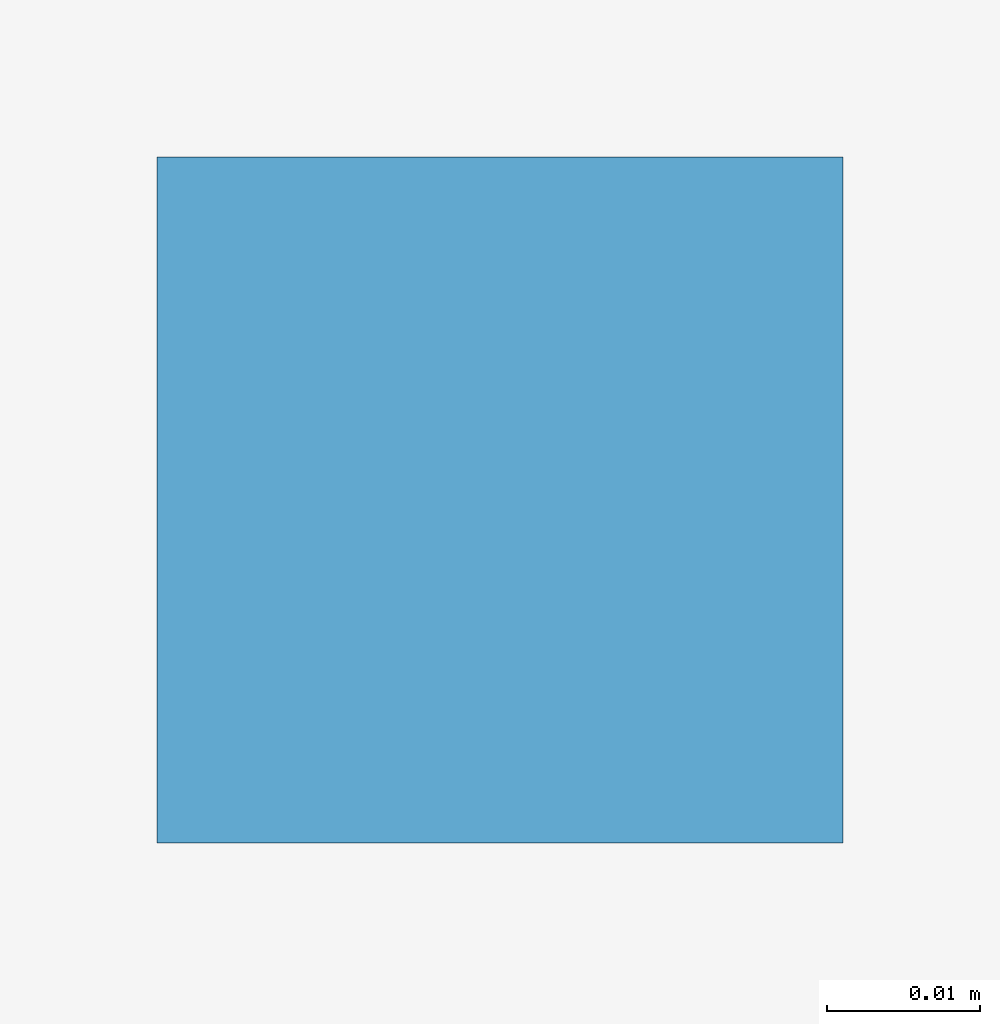
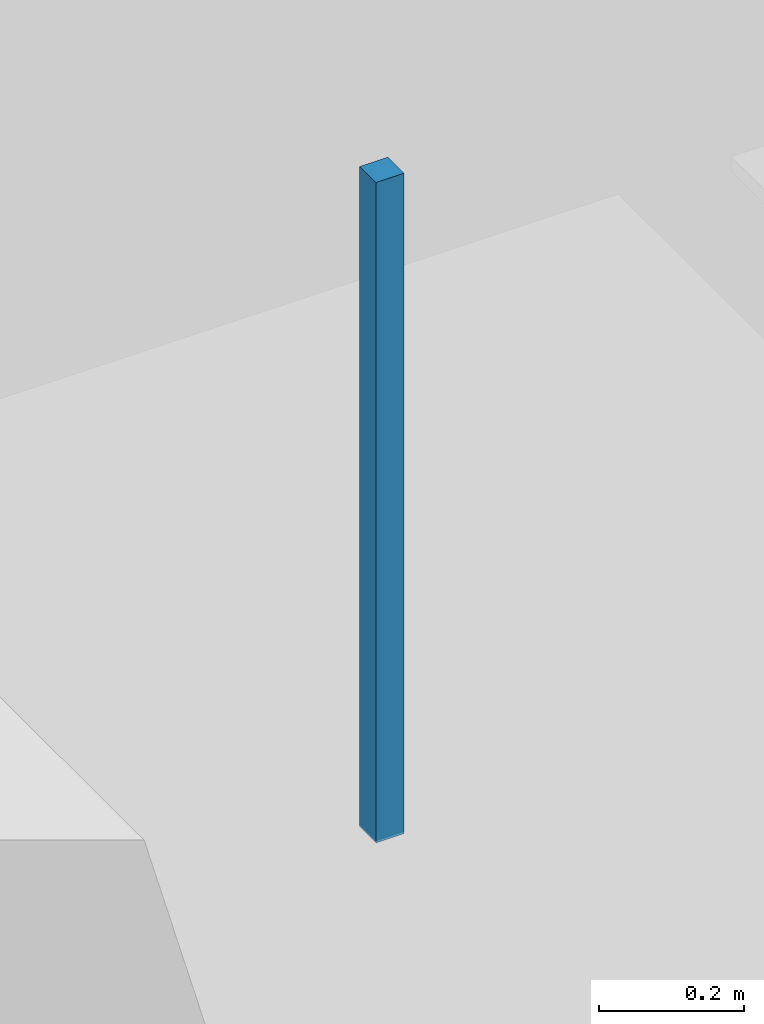
# One storey, part 78 of 130: 1 discrete accessory.
"""IFC4 building model written with IfcOpenShell, lengths in metres."""

from ifc_helpers import new_model, si_unit, direction, frame, origin, origin_2d, place, context, subcontext, project, spatial, rectangle, extrude, material, type_object, element, save


model = new_model("IFC4")

# Units and contexts
model_context = context("Model", 3, precision=1e-05, world=origin(), true_north=direction((0.0, 1.0)))
body_context = subcontext(model_context, "Body", "Model", "MODEL_VIEW")
ifc_project = project(units=[si_unit("LENGTHUNIT", "METRE"), si_unit("AREAUNIT", "SQUARE_METRE"), si_unit("VOLUMEUNIT", "CUBIC_METRE"), si_unit("PLANEANGLEUNIT", "RADIAN"), si_unit("MASSUNIT", "GRAM", prefix="KILO"), si_unit("THERMODYNAMICTEMPERATUREUNIT", "KELVIN"), si_unit("POWERUNIT", "WATT")], contexts=[model_context])

# Site, building, storey
site_placement = place(None, origin())
site = spatial("IfcSite", under=ifc_project, at=site_placement, CompositionType="ELEMENT")
building_placement = place(site_placement, origin())
building = spatial("IfcBuilding", under=site, at=building_placement, Name="Tallowbark Science Centre", CompositionType="ELEMENT")
storey_placement = place(building_placement, frame((0.0, 0.0, 5.39990234375)))
storey = spatial("IfcBuildingStorey", under=building, at=storey_placement, Name="L01", CompositionType="ELEMENT", Elevation=5.39990234375)

# Discrete accessory
ifc_material = material(Name="Galvanised Steel Grade C350L0 (350 MPa)", Category="steel")
discrete_accessory_type = type_object("IfcDiscreteAccessoryType", Name="ACC-CLG-HNG", PredefinedType="BRACKET", material=ifc_material)
discrete_accessory_placement = place(storey_placement, frame((61.94677734375, 38.25, 3.20947265625), z_axis=(0.0, 0.0, 1.0), x_axis=(1.0, 0.0, 0.0)))
element("IfcDiscreteAccessory", 1, at=discrete_accessory_placement, inside=storey, type_object=discrete_accessory_type, Name="Ceiling Hanger Bracket L01-488", PredefinedType="BRACKET", context=body_context, shape_type="SweptSolid", body=[
    extrude(rectangle(XDim=0.044921875, YDim=0.044921875, at=origin_2d()), origin(), (0.0, 0.0, 1.0), 1.113525390625),
])

save(model, "model.ifc")
